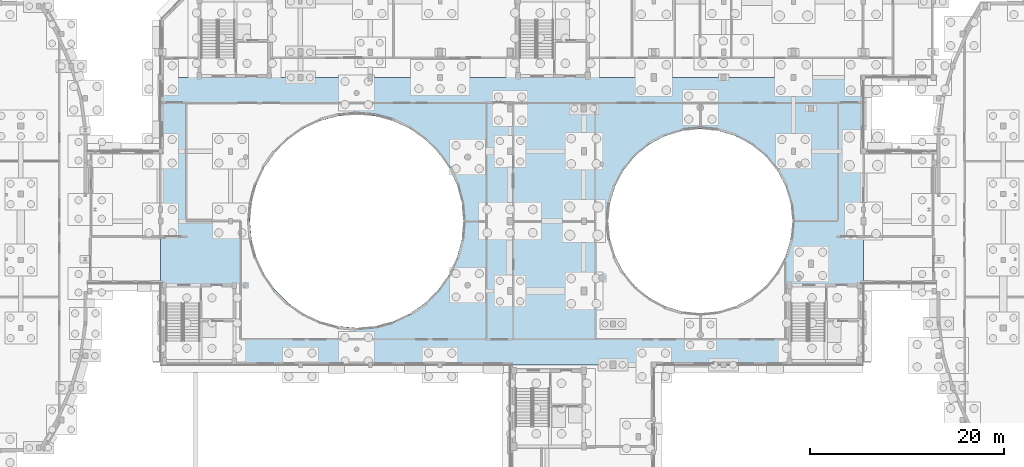
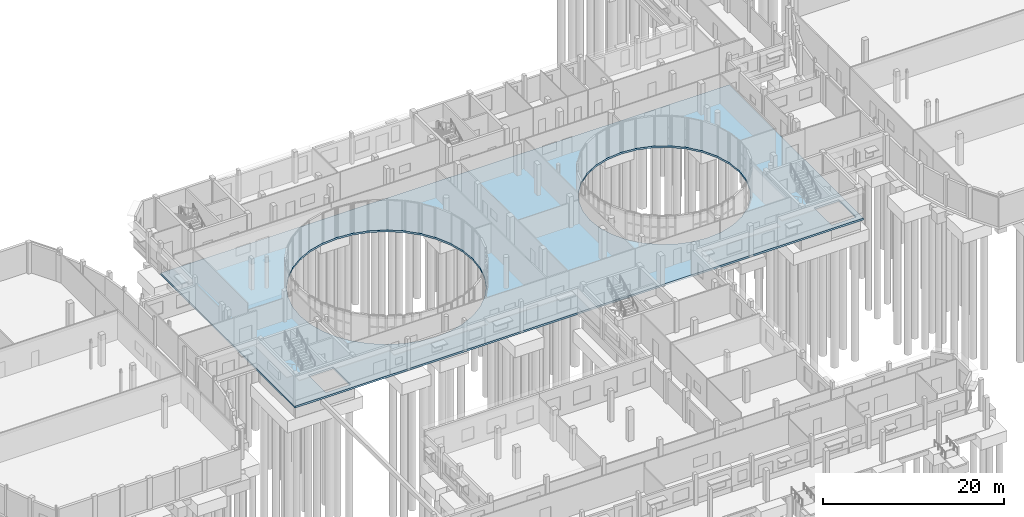
# One storey, part 53 of 93: 1 slab.
"""IFC4 building model written with IfcOpenShell, lengths in metres."""

from ifc_helpers import new_model, si_unit, direction, frame, origin, place, context, subcontext, project, spatial, polyline, outline, extrude, material, layer, layer_set, type_object, element, save


model = new_model("IFC4")

# Units and contexts
model_context = context("Model", 3, precision=1e-05, world=origin(), true_north=direction((0.0, 1.0)))
body_context = subcontext(model_context, "Body", "Model", "MODEL_VIEW")
ifc_project = project(units=[si_unit("LENGTHUNIT", "METRE"), si_unit("AREAUNIT", "SQUARE_METRE"), si_unit("VOLUMEUNIT", "CUBIC_METRE"), si_unit("PLANEANGLEUNIT", "RADIAN"), si_unit("MASSUNIT", "GRAM", prefix="KILO")], contexts=[model_context])

# Site, building, storey
site_placement = place(None, origin())
site = spatial("IfcSite", under=ifc_project, at=site_placement, CompositionType="ELEMENT")
building_placement = place(site_placement, origin())
building = spatial("IfcBuilding", under=site, at=building_placement, Name="Kelanivale Promenade Academy", CompositionType="ELEMENT")
storey_placement = place(building_placement, origin())
storey = spatial("IfcBuildingStorey", under=building, at=storey_placement, Name="L00", CompositionType="ELEMENT", Elevation=0.0)

# Slab
ifc_material = material(Name="Concrete C35/45", Category="concrete")
ifc_layer = layer(ifc_material, 0.25)
ifc_layer_set = layer_set([ifc_layer], Name="Concrete C35/45")
slab_type = type_object("IfcSlabType", Name="BS-01 Slab 250mm", PredefinedType="BASESLAB", material=ifc_layer_set)
slab_placement = place(storey_placement, frame((0.0, 0.0, -0.25)))
element("IfcSlab", 1, at=slab_placement, inside=storey, type_object=slab_type, Name="L00 structural slab SLB-L00-V4C", PredefinedType="BASESLAB", context=body_context, shape_type="SweptSolid", body=[
    extrude(outline(polyline([(43.199951171875, 71.60009765625), (43.199951171875, 42.0), (115.60009765625, 42.0), (115.60009765625, 71.60009765625), (43.199951171875, 71.60009765625)]), holes=[polyline([(115.034912109375, 46.425048828125), (115.034912109375, 42.56494140625), (111.885009765625, 42.56494140625), (111.885009765625, 46.425048828125), (115.034912109375, 46.425048828125)]), polyline([(105.51806640625, 63.51806640625), (106.698974609375, 62.077880859375), (107.576904296875, 60.43505859375), (108.116943359375, 58.653076171875), (108.300048828125, 56.800048828125), (108.116943359375, 54.947021484375), (107.576904296875, 53.1650390625), (106.698974609375, 51.52197265625), (105.51806640625, 50.08203125), (104.077880859375, 48.90087890625), (102.43505859375, 48.02294921875), (100.653076171875, 47.48291015625), (98.800048828125, 47.300048828125), (96.947021484375, 47.48291015625), (95.1650390625, 48.02294921875), (93.52197265625, 48.90087890625), (92.08203125, 50.08203125), (90.90087890625, 51.52197265625), (90.02294921875, 53.1650390625), (89.48291015625, 54.947021484375), (89.300048828125, 56.800048828125), (89.48291015625, 58.653076171875), (90.02294921875, 60.43505859375), (90.90087890625, 62.077880859375), (92.08203125, 63.51806640625), (93.52197265625, 64.698974609375), (95.1650390625, 65.576904296875), (96.947021484375, 66.116943359375), (98.800048828125, 66.300048828125), (100.653076171875, 66.116943359375), (102.43505859375, 65.576904296875), (104.077880859375, 64.698974609375), (105.51806640625, 63.51806640625)]), polyline([(71.825927734375, 63.87109375), (72.926025390625, 62.300048828125), (73.737060546875, 60.56201171875), (74.23291015625, 58.7099609375), (74.39990234375, 56.800048828125), (74.23291015625, 54.889892578125), (73.737060546875, 53.0380859375), (72.926025390625, 51.300048828125), (71.825927734375, 49.72900390625), (70.470947265625, 48.3740234375), (68.89990234375, 47.27392578125), (67.162109375, 46.462890625), (65.31005859375, 45.967041015625), (63.39990234375, 45.800048828125), (61.489990234375, 45.967041015625), (59.637939453125, 46.462890625), (57.89990234375, 47.27392578125), (56.3291015625, 48.3740234375), (54.97412109375, 49.72900390625), (53.8740234375, 51.300048828125), (53.06298828125, 53.0380859375), (52.56689453125, 54.889892578125), (52.39990234375, 56.800048828125), (52.56689453125, 58.7099609375), (53.06298828125, 60.56201171875), (53.8740234375, 62.300048828125), (54.97412109375, 63.87109375), (56.3291015625, 65.22607421875), (57.89990234375, 66.325927734375), (59.637939453125, 67.136962890625), (61.489990234375, 67.633056640625), (63.39990234375, 67.800048828125), (65.31005859375, 67.633056640625), (67.162109375, 67.136962890625), (68.89990234375, 66.325927734375), (70.470947265625, 65.22607421875), (71.825927734375, 63.87109375)]), polyline([(47.485107421875, 46.425048828125), (50.635009765625, 46.425048828125), (50.635009765625, 42.56494140625), (47.485107421875, 42.56494140625), (47.485107421875, 46.425048828125)])]), origin(), (0.0, 0.0, 1.0), 0.25),
])

save(model, "model.ifc")
